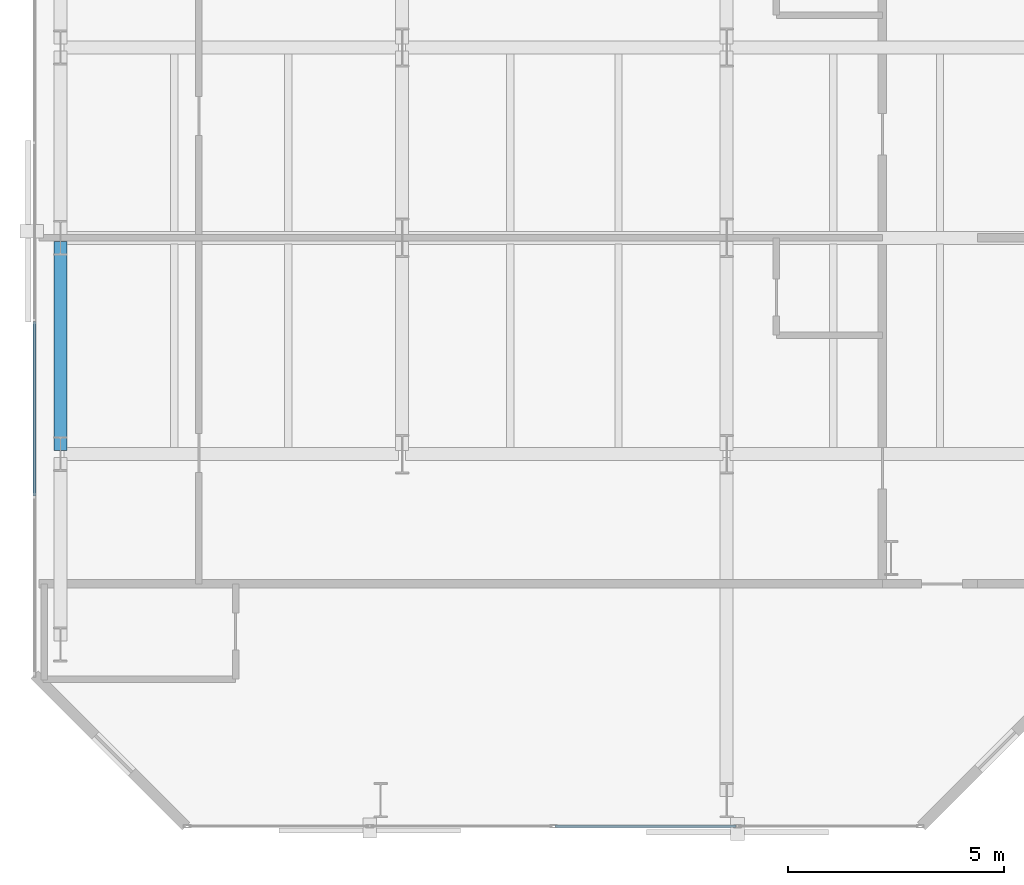
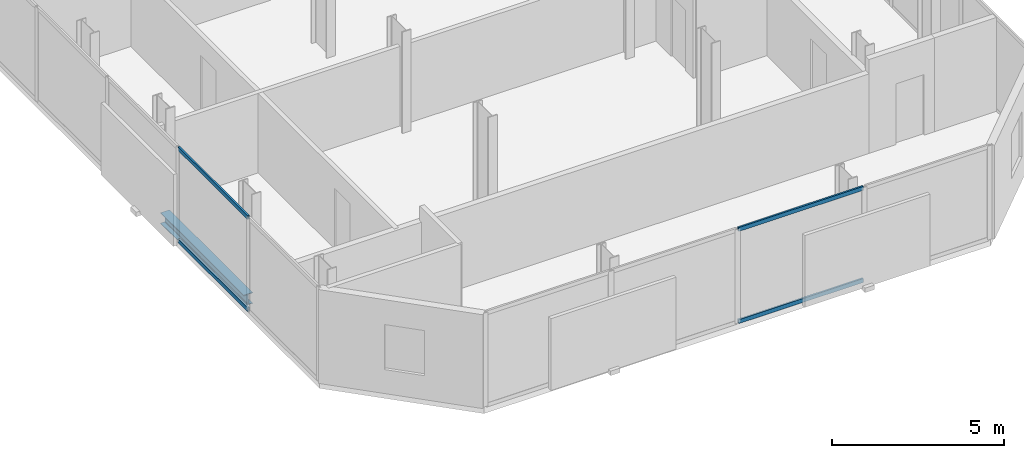
# One storey, part 4 of 33: 4 members, 1 beam, 2 elements without a shape of their own.
"""IFC4 building model written with IfcOpenShell, lengths in metres."""

from ifc_helpers import new_model, si_unit, direction, frame, origin, origin_2d, place, context, subcontext, project, spatial, hollow_rectangle, i_section, extrude, material, layer, layer_set, material_profile, profile_set, type_object, element, aggregate, save


model = new_model("IFC4")

# Units and contexts
model_context = context("Model", 3, precision=1e-05, world=origin(), true_north=direction((0.0, 1.0)))
body_context = subcontext(model_context, "Body", "Model", "MODEL_VIEW")
ifc_project = project(units=[si_unit("LENGTHUNIT", "METRE"), si_unit("AREAUNIT", "SQUARE_METRE"), si_unit("VOLUMEUNIT", "CUBIC_METRE"), si_unit("PLANEANGLEUNIT", "RADIAN"), si_unit("MASSUNIT", "GRAM", prefix="KILO")], contexts=[model_context])

# Site, building, storey
site_placement = place(None, origin())
site = spatial("IfcSite", under=ifc_project, at=site_placement, CompositionType="ELEMENT")
building_placement = place(site_placement, origin())
building = spatial("IfcBuilding", under=site, at=building_placement, Name="Catumbela Crestline Tower", CompositionType="ELEMENT")
storey_placement = place(building_placement, frame((0.0, 0.0, 54.6)))
storey = spatial("IfcBuildingStorey", under=building, at=storey_placement, Name="L13", CompositionType="ELEMENT", Elevation=54.6)

# Beam
ifc_material_1 = material(Name="Structural steel S355J2", Category="steel")
ifc_material_profile_1 = material_profile(ifc_material_1, i_section(OverallWidth=0.3, OverallDepth=0.39, WebThickness=0.011, FlangeThickness=0.019, FilletRadius=0.027, at=origin_2d()), Name="HEA 400")
ifc_profile_set_1 = profile_set([ifc_material_profile_1], Name="Structural steel S355J2")
beam_type = type_object("IfcBeamType", Name="BS-HEA400", PredefinedType="SPANDREL", material=ifc_profile_set_1)
beam_placement = place(storey_placement, frame((0.6, 8.68, -0.455), z_axis=(0.0, 1.0, 0.0), x_axis=(-1.0, 0.0, 0.0)))
element("IfcBeam", 1, at=beam_placement, inside=storey, type_object=beam_type, Name="L13 Spandrel SP-L13-WNS58", PredefinedType="SPANDREL", context=body_context, shape_type="SweptSolid", body=[
    extrude(i_section(OverallWidth=0.3, OverallDepth=0.39, WebThickness=0.011, FlangeThickness=0.019, FilletRadius=0.027, at=origin_2d()), origin(), (0.0, 0.0, 1.0), 4.84),
])

# Curtain wall, members
ifc_material_2 = material(Name="Aluminium alloy AW-6060-T66", Category="aluminium")
ifc_layer = layer(ifc_material_2, 0.18, Name="Aluminium alloy AW-6060-T66")
ifc_layer_set = layer_set([ifc_layer], Name="Aluminium alloy AW-6060-T66")
curtain_wall_type = type_object("IfcCurtainWallType", Name="CWU-Z1", PredefinedType="USERDEFINED", material=ifc_layer_set)
curtain_wall_1_placement = place(storey_placement, origin())
curtain_wall_1 = element("IfcCurtainWall", 2, at=curtain_wall_1_placement, inside=storey, type_object=curtain_wall_type, Name="L13 Unitised Curtain Wall CW-L13-E0S1", ObjectType="UNITISED", PredefinedType="USERDEFINED")
ifc_material_profile_2 = material_profile(ifc_material_2, hollow_rectangle(XDim=0.06, YDim=0.14, WallThickness=0.004, at=origin_2d()), Name="ALU 140x60x4")
ifc_profile_set_2 = profile_set([ifc_material_profile_2], Name="Aluminium alloy AW-6060-T66")
member_type = type_object("IfcMemberType", Name="TRN-140X60", PredefinedType="USERDEFINED", material=ifc_profile_set_2)
member_1_placement = place(storey_placement, frame((12.0325, 0.0, 0.03), z_axis=(1.0, 0.0, 0.0), x_axis=(0.0, 1.0, 0.0)))
member_1 = element("IfcMember", 3, at=member_1_placement, type_object=member_type, Name="CWU-Z1 transom 3.1", ObjectType="TRANSOM", PredefinedType="USERDEFINED", context=body_context, shape_type="SweptSolid", body=[
    extrude(hollow_rectangle(XDim=0.06, YDim=0.14, WallThickness=0.004, at=origin_2d()), origin(), (0.0, 0.0, 1.0), 4.185),
])
member_2_placement = place(storey_placement, frame((12.0325, 0.0, 3.3), z_axis=(1.0, 0.0, 0.0), x_axis=(0.0, 1.0, 0.0)))
member_2 = element("IfcMember", 4, at=member_2_placement, type_object=member_type, Name="CWU-Z1 transom 3.2", ObjectType="TRANSOM", PredefinedType="USERDEFINED", context=body_context, shape_type="SweptSolid", body=[
    extrude(hollow_rectangle(XDim=0.06, YDim=0.14, WallThickness=0.004, at=origin_2d()), origin(), (0.0, 0.0, 1.0), 4.185),
])
aggregate(curtain_wall_1, [member_1, member_2])

curtain_wall_2_placement = place(storey_placement, origin())
curtain_wall_2 = element("IfcCurtainWall", 5, at=curtain_wall_2_placement, inside=storey, type_object=curtain_wall_type, Name="L13 Unitised Curtain Wall CW-L13-E9S1", ObjectType="UNITISED", PredefinedType="USERDEFINED")
member_3_placement = place(storey_placement, frame((0.0, 11.6675, 0.03), z_axis=(0.0, -1.0, 0.0), x_axis=(1.0, 0.0, 0.0)))
member_3 = element("IfcMember", 6, at=member_3_placement, type_object=member_type, Name="CWU-Z1 transom 9.1", ObjectType="TRANSOM", PredefinedType="USERDEFINED", context=body_context, shape_type="SweptSolid", body=[
    extrude(hollow_rectangle(XDim=0.06, YDim=0.14, WallThickness=0.004, at=origin_2d()), origin(), (0.0, 0.0, 1.0), 4.035),
])
member_4_placement = place(storey_placement, frame((0.0, 11.6675, 3.3), z_axis=(0.0, -1.0, 0.0), x_axis=(1.0, 0.0, 0.0)))
member_4 = element("IfcMember", 7, at=member_4_placement, type_object=member_type, Name="CWU-Z1 transom 9.2", ObjectType="TRANSOM", PredefinedType="USERDEFINED", context=body_context, shape_type="SweptSolid", body=[
    extrude(hollow_rectangle(XDim=0.06, YDim=0.14, WallThickness=0.004, at=origin_2d()), origin(), (0.0, 0.0, 1.0), 4.035),
])
aggregate(curtain_wall_2, [member_3, member_4])

save(model, "model.ifc")
